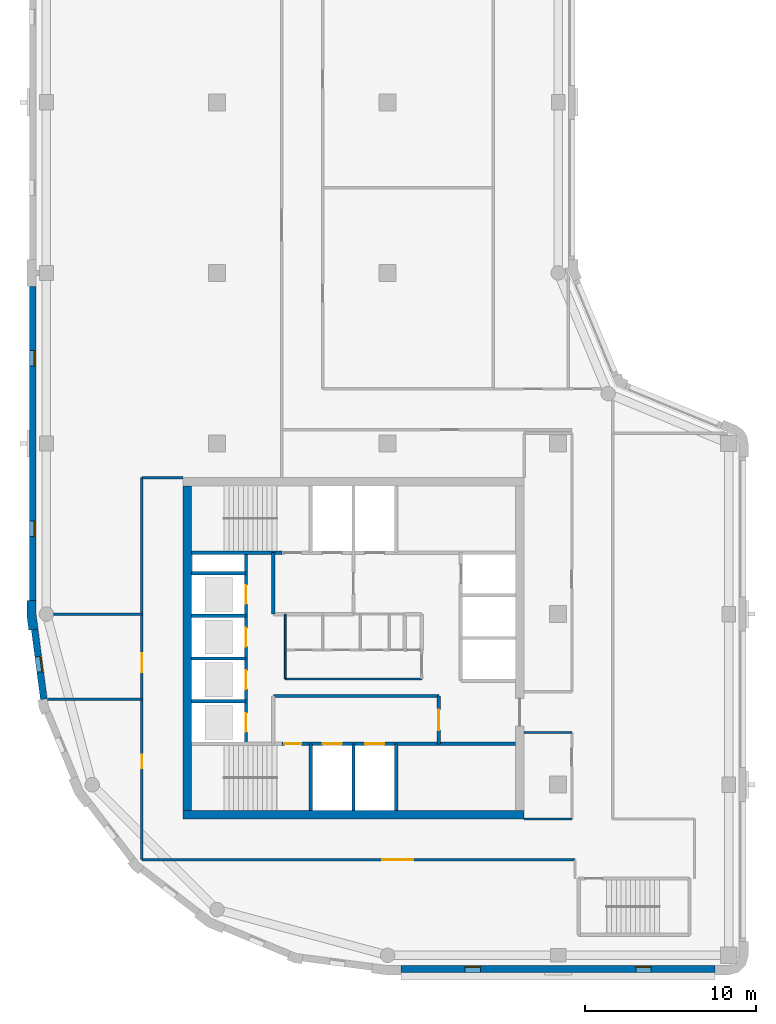
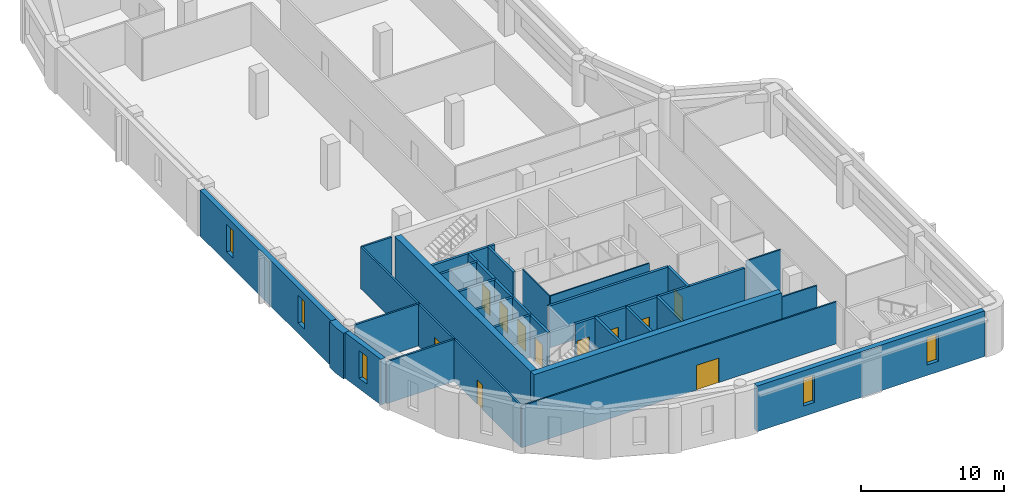
# One storey, part 2 of 8: 28 walls, 11 doors, 5 windows, 16 openings.
"""IFC4 building model written with IfcOpenShell, lengths in metres."""

from ifc_helpers import new_model, si_unit, direction, frame, frame_2d, origin, place, context, subcontext, project, spatial, polyline, rectangle, outline, extrude, material, layer, layer_set, type_object, element, fill, save


model = new_model("IFC4")

# Units and contexts
model_context = context("Model", 3, precision=1e-05, world=origin(), true_north=direction((0.0, 1.0)))
body_context = subcontext(model_context, "Body", "Model", "MODEL_VIEW")
ifc_project = project(units=[si_unit("LENGTHUNIT", "METRE"), si_unit("AREAUNIT", "SQUARE_METRE"), si_unit("VOLUMEUNIT", "CUBIC_METRE"), si_unit("PLANEANGLEUNIT", "RADIAN"), si_unit("MASSUNIT", "GRAM", prefix="KILO")], contexts=[model_context])

# Site, building, storey
site_placement = place(None, origin())
site = spatial("IfcSite", under=ifc_project, at=site_placement, CompositionType="ELEMENT")
building_placement = place(site_placement, origin())
building = spatial("IfcBuilding", under=site, at=building_placement, Name="Qaws Garden Tower", CompositionType="ELEMENT")
storey_placement = place(building_placement, frame((0.0, 0.0, 345.0)))
storey = spatial("IfcBuildingStorey", under=building, at=storey_placement, Name="L84", CompositionType="ELEMENT", Elevation=345.0)

# Wall, openings, windows
ifc_material_1 = material(Name="Clay facing brick masonry", Category="masonry")
ifc_layer_1 = layer(ifc_material_1, 0.39990234375)
ifc_layer_set_1 = layer_set([ifc_layer_1], Name="Clay facing brick masonry")
wall_type_1 = type_object("IfcWallType", Name="Brick infill wall 400", PredefinedType="SOLIDWALL", material=ifc_layer_set_1)
wall_1_placement = place(storey_placement, frame((20.800048828125, -0.800048828125, 0.0), z_axis=(0.0, 0.0, 1.0), x_axis=(1.0, 0.0, 0.0)))
wall_1 = element("IfcWall", 1, at=wall_1_placement, inside=storey, type_object=wall_type_1, Name="E-L84-infill-00", PredefinedType="SOLIDWALL", context=body_context, shape_type="SweptSolid", body=[
    extrude(rectangle(XDim=18.39990234375, YDim=0.39990234375, at=frame_2d((9.199951171875, 0.0))), origin(), (0.0, 0.0, 1.0), 3.89990234375),
])
opening_1_placement = place(wall_1_placement, frame((3.75, 0.0, 0.89990234375)))
opening_1 = element("IfcOpeningElement", 2, at=opening_1_placement, cuts=wall_1, Name="Opening W09", PredefinedType="OPENING", context=body_context, shape_type="SweptSolid", body=[
    extrude(rectangle(XDim=0.89990234375, YDim=2.35009765625, at=frame_2d((0.449951171875, 1.175048828125))), frame((0.0, 0.2099609375, 0.0), z_axis=(0.0, -1.0, 0.0), x_axis=(1.0, 0.0, 0.0)), (0.0, 0.0, 1.0), 0.419921875),
])
opening_2_placement = place(wall_1_placement, frame((13.75, 0.0, 0.89990234375)))
opening_2 = element("IfcOpeningElement", 3, at=opening_2_placement, cuts=wall_1, Name="Opening W09", PredefinedType="OPENING", context=body_context, shape_type="SweptSolid", body=[
    extrude(rectangle(XDim=0.89990234375, YDim=2.35009765625, at=frame_2d((0.449951171875, 1.175048828125))), frame((0.0, 0.2099609375, 0.0), z_axis=(0.0, -1.0, 0.0), x_axis=(1.0, 0.0, 0.0)), (0.0, 0.0, 1.0), 0.419921875),
])
ifc_material_2 = material(Name="Aluminium framed window, clear glazing", Category="aluminium")
window_type = type_object("IfcWindowType", Name="Slit window 900 x 2350", PartitioningType="SINGLE_PANEL", PredefinedType="WINDOW", material=ifc_material_2)
window_1_placement = place(opening_1_placement, origin())
window_1 = element("IfcWindow", 4, at=window_1_placement, inside=storey, type_object=window_type, Name="E-L84-window-00-0", OverallHeight=2.35009765625, OverallWidth=0.89990234375, PartitioningType="SINGLE_PANEL", PredefinedType="WINDOW", context=body_context, shape_type="SweptSolid", body=[
    extrude(rectangle(XDim=0.89990234375, YDim=2.35009765625, at=frame_2d((0.449951171875, 1.175048828125))), frame((0.0, 0.159912109375, 0.0), z_axis=(0.0, -1.0, 0.0), x_axis=(1.0, 0.0, 0.0)), (0.0, 0.0, 1.0), 0.06005859375),
])
fill(opening_1, window_1)
window_2_placement = place(opening_2_placement, origin())
window_2 = element("IfcWindow", 5, at=window_2_placement, inside=storey, type_object=window_type, Name="E-L84-window-01-0", OverallHeight=2.35009765625, OverallWidth=0.89990234375, PartitioningType="SINGLE_PANEL", PredefinedType="WINDOW", context=body_context, shape_type="SweptSolid", body=[
    extrude(rectangle(XDim=0.89990234375, YDim=2.35009765625, at=frame_2d((0.449951171875, 1.175048828125))), frame((0.0, 0.159912109375, 0.0), z_axis=(0.0, -1.0, 0.0), x_axis=(1.0, 0.0, 0.0)), (0.0, 0.0, 1.0), 0.06005859375),
])
fill(opening_2, window_2)

wall_2_placement = place(storey_placement, frame((-0.800048828125, 39.199951171875, 0.0), z_axis=(0.0, 0.0, 1.0), x_axis=(0.0, -1.0, 0.0)))
wall_2 = element("IfcWall", 6, at=wall_2_placement, inside=storey, type_object=wall_type_1, Name="E-L84-infill-19", PredefinedType="SOLIDWALL", context=body_context, shape_type="SweptSolid", body=[
    extrude(rectangle(XDim=18.39990234375, YDim=0.39990234375, at=frame_2d((9.199951171875, 0.0))), origin(), (0.0, 0.0, 1.0), 3.89990234375),
])
opening_3_placement = place(wall_2_placement, frame((3.75, 0.0, 0.89990234375)))
opening_3 = element("IfcOpeningElement", 7, at=opening_3_placement, cuts=wall_2, Name="Opening W09", PredefinedType="OPENING", context=body_context, shape_type="SweptSolid", body=[
    extrude(rectangle(XDim=0.89990234375, YDim=2.35009765625, at=frame_2d((0.449951171875, 1.175048828125))), frame((0.0, 0.2099609375, 0.0), z_axis=(0.0, -1.0, 0.0), x_axis=(1.0, 0.0, 0.0)), (0.0, 0.0, 1.0), 0.419921875),
])
opening_4_placement = place(wall_2_placement, frame((13.75, 0.0, 0.89990234375)))
opening_4 = element("IfcOpeningElement", 8, at=opening_4_placement, cuts=wall_2, Name="Opening W09", PredefinedType="OPENING", context=body_context, shape_type="SweptSolid", body=[
    extrude(rectangle(XDim=0.89990234375, YDim=2.35009765625, at=frame_2d((0.449951171875, 1.175048828125))), frame((0.0, 0.2099609375, 0.0), z_axis=(0.0, -1.0, 0.0), x_axis=(1.0, 0.0, 0.0)), (0.0, 0.0, 1.0), 0.419921875),
])
window_3_placement = place(opening_3_placement, origin())
window_3 = element("IfcWindow", 9, at=window_3_placement, inside=storey, type_object=window_type, Name="E-L84-window-19-0", OverallHeight=2.35009765625, OverallWidth=0.89990234375, PartitioningType="SINGLE_PANEL", PredefinedType="WINDOW", context=body_context, shape_type="SweptSolid", body=[
    extrude(rectangle(XDim=0.89990234375, YDim=2.35009765625, at=frame_2d((0.449951171875, 1.175048828125))), frame((0.0, 0.159912109375, 0.0), z_axis=(0.0, -1.0, 0.0), x_axis=(1.0, 0.0, 0.0)), (0.0, 0.0, 1.0), 0.06005859375),
])
fill(opening_3, window_3)
window_4_placement = place(opening_4_placement, origin())
window_4 = element("IfcWindow", 10, at=window_4_placement, inside=storey, type_object=window_type, Name="E-L84-window-20-0", OverallHeight=2.35009765625, OverallWidth=0.89990234375, PartitioningType="SINGLE_PANEL", PredefinedType="WINDOW", context=body_context, shape_type="SweptSolid", body=[
    extrude(rectangle(XDim=0.89990234375, YDim=2.35009765625, at=frame_2d((0.449951171875, 1.175048828125))), frame((0.0, 0.159912109375, 0.0), z_axis=(0.0, -1.0, 0.0), x_axis=(1.0, 0.0, 0.0)), (0.0, 0.0, 1.0), 0.06005859375),
])
fill(opening_4, window_4)

# Wall, opening, window
wall_3_placement = place(storey_placement, frame((-0.688720703125, 19.102294921875, 0.0), z_axis=(0.0, 0.0, 1.0), x_axis=(0.130514280502, -0.991446429508, 0.0)))
wall_3 = element("IfcWall", 11, at=wall_3_placement, inside=storey, type_object=wall_type_1, Name="E-L84-infill-21", PredefinedType="SOLIDWALL", context=body_context, shape_type="SweptSolid", body=[
    extrude(rectangle(XDim=4.120849609375, YDim=0.39990234375, at=frame_2d((2.060546875, 0.0))), origin(), (0.0, 0.0, 1.0), 3.89990234375),
])
opening_5_placement = place(wall_3_placement, frame((1.610595703125, 0.0, 0.89990234375)))
opening_5 = element("IfcOpeningElement", 12, at=opening_5_placement, cuts=wall_3, Name="Opening W09", PredefinedType="OPENING", context=body_context, shape_type="SweptSolid", body=[
    extrude(rectangle(XDim=0.89990234375, YDim=2.35009765625, at=frame_2d((0.449951171875, 1.175048828125))), frame((0.0, 0.2099609375, 0.0), z_axis=(0.0, -1.0, 0.0), x_axis=(1.0, 0.0, 0.0)), (0.0, 0.0, 1.0), 0.419921875),
])
window_5_placement = place(opening_5_placement, origin())
window_5 = element("IfcWindow", 13, at=window_5_placement, inside=storey, type_object=window_type, Name="E-L84-window-21-0", OverallHeight=2.35009765625, OverallWidth=0.89990234375, PartitioningType="SINGLE_PANEL", PredefinedType="WINDOW", context=body_context, shape_type="SweptSolid", body=[
    extrude(rectangle(XDim=0.89990234375, YDim=2.35009765625, at=frame_2d((0.449951171875, 1.175048828125))), frame((0.0, 0.159912109375, 0.0), z_axis=(0.0, -1.0, 0.0), x_axis=(1.0, 0.0, 0.0)), (0.0, 0.0, 1.0), 0.06005859375),
])
fill(opening_5, window_5)

# Walls
ifc_material_3 = material(Name="Clay facing brick masonry", Category="masonry")
ifc_layer_2 = layer(ifc_material_3, 0.550048828125)
ifc_layer_set_2 = layer_set([ifc_layer_2], Name="Clay facing brick masonry")
wall_type_2 = type_object("IfcWallType", Name="Brick pier 550 x 1600", PredefinedType="SOLIDWALL", material=ifc_layer_set_2)
wall_4_placement = place(storey_placement, origin())
element("IfcWall", 14, at=wall_4_placement, inside=storey, type_object=wall_type_2, Name="E-L84-pier-21", PredefinedType="SOLIDWALL", context=body_context, shape_type="SweptSolid", body=[
    extrude(outline(polyline([(-1.0, 20.800048828125), (-1.14990234375, 20.800048828125), (-1.14990234375, 19.924560546875), (-1.03564453125, 19.056640625), (-0.886962890625, 19.076416015625), (-0.490478515625, 19.12841796875), (-0.60009765625, 19.960693359375), (-0.60009765625, 20.800048828125), (-1.0, 20.800048828125)])), origin(), (0.0, 0.0, 1.0), 3.89990234375),
])
ifc_material_4 = material(Name="Plasterboard")
ifc_layer_3 = layer(ifc_material_4, 0.10009765625)
ifc_layer_set_3 = layer_set([ifc_layer_3], Name="Plasterboard")
wall_type_3 = type_object("IfcWallType", Name="Core partition 100", PredefinedType="PARTITIONING", material=ifc_layer_set_3)
wall_5_placement = place(storey_placement, frame((14.0, 16.199951171875, 0.0), z_axis=(0.0, 0.0, 1.0), x_axis=(1.0, 0.0, 0.0)))
element("IfcWall", 15, at=wall_5_placement, inside=storey, type_object=wall_type_3, Name="Core partition", PredefinedType="PARTITIONING", context=body_context, shape_type="SweptSolid", body=[
    extrude(rectangle(XDim=8.0, YDim=0.10009765625, at=frame_2d((4.0, 0.0))), origin(), (0.0, 0.0, 1.0), 3.580078125),
])
wall_6_placement = place(storey_placement, frame((14.0, 16.199951171875, 0.0), z_axis=(0.0, 0.0, 1.0), x_axis=(0.0, 1.0, 0.0)))
element("IfcWall", 16, at=wall_6_placement, inside=storey, type_object=wall_type_3, Name="Core partition", PredefinedType="PARTITIONING", context=body_context, shape_type="SweptSolid", body=[
    extrude(rectangle(XDim=3.800048828125, YDim=0.10009765625, at=frame_2d((1.89990234375, 0.0))), origin(), (0.0, 0.0, 1.0), 3.580078125),
])

# Wall, openings, doors
ifc_material_5 = material(Name="Concrete C60", Category="concrete")
ifc_layer_4 = layer(ifc_material_5, 0.199951171875)
ifc_layer_set_4 = layer_set([ifc_layer_4], Name="Concrete C60")
wall_type_4 = type_object("IfcWallType", Name="Core shaft wall 200 C60", PredefinedType="SHEAR", material=ifc_layer_set_4)
wall_7_placement = place(storey_placement, frame((13.800048828125, 12.39990234375, 0.0), z_axis=(0.0, 0.0, 1.0), x_axis=(1.0, 0.0, 0.0)))
wall_7 = element("IfcWall", 17, at=wall_7_placement, inside=storey, type_object=wall_type_4, Name="Shaft wall", PredefinedType="SHEAR", context=body_context, shape_type="SweptSolid", body=[
    extrude(rectangle(XDim=13.699951171875, YDim=0.199951171875, at=frame_2d((6.85009765625, 0.0))), origin(), (0.0, 0.0, 1.0), 3.580078125),
])
opening_6_placement = place(wall_7_placement, frame((2.39990234375, 0.0, 0.0)))
opening_6 = element("IfcOpeningElement", 18, at=opening_6_placement, cuts=wall_7, Name="Opening LD06", PredefinedType="OPENING", context=body_context, shape_type="SweptSolid", body=[
    extrude(rectangle(XDim=1.10009765625, YDim=2.10009765625, at=frame_2d((0.550048828125, 1.050048828125))), frame((0.0, 0.10986328125, 0.0), z_axis=(0.0, -1.0, 0.0), x_axis=(1.0, 0.0, 0.0)), (0.0, 0.0, 1.0), 0.219970703125),
])
opening_7_placement = place(wall_7_placement, frame((4.89990234375, 0.0, 0.0)))
opening_7 = element("IfcOpeningElement", 19, at=opening_7_placement, cuts=wall_7, Name="Opening LD07", PredefinedType="OPENING", context=body_context, shape_type="SweptSolid", body=[
    extrude(rectangle(XDim=1.10009765625, YDim=2.10009765625, at=frame_2d((0.550048828125, 1.050048828125))), frame((0.0, 0.10986328125, 0.0), z_axis=(0.0, -1.0, 0.0), x_axis=(1.0, 0.0, 0.0)), (0.0, 0.0, 1.0), 0.219970703125),
])
opening_8_placement = place(wall_7_placement, frame((0.14990234375, 0.0, 0.0)))
opening_8 = element("IfcOpeningElement", 20, at=opening_8_placement, cuts=wall_7, Name="Opening SD10", PredefinedType="OPENING", context=body_context, shape_type="SweptSolid", body=[
    extrude(rectangle(XDim=1.0, YDim=2.10009765625, at=frame_2d((0.5, 1.050048828125))), frame((0.0, 0.10986328125, 0.0), z_axis=(0.0, -1.0, 0.0), x_axis=(1.0, 0.0, 0.0)), (0.0, 0.0, 1.0), 0.219970703125),
])
ifc_material_6 = material(Name="Steel S235", Category="steel")
door_type_1 = type_object("IfcDoorType", Name="Landing door 1100x2100", OperationType="DOUBLE_DOOR_SLIDING", PredefinedType="DOOR", material=ifc_material_6)
door_1_placement = place(opening_6_placement, origin())
door_1 = element("IfcDoor", 21, at=door_1_placement, inside=storey, type_object=door_type_1, Name="Lift FF1 landing door", OperationType="DOUBLE_DOOR_SLIDING", OverallHeight=2.10009765625, OverallWidth=1.10009765625, PredefinedType="DOOR", context=body_context, shape_type="SweptSolid", body=[
    extrude(rectangle(XDim=1.10009765625, YDim=2.10009765625, at=frame_2d((0.550048828125, 1.050048828125))), frame((0.0, 0.02490234375, 0.0), z_axis=(0.0, -1.0, 0.0), x_axis=(1.0, 0.0, 0.0)), (0.0, 0.0, 1.0), 0.050048828125),
])
fill(opening_6, door_1)
door_2_placement = place(opening_7_placement, origin())
door_2 = element("IfcDoor", 22, at=door_2_placement, inside=storey, type_object=door_type_1, Name="Lift FF2 landing door", OperationType="DOUBLE_DOOR_SLIDING", OverallHeight=2.10009765625, OverallWidth=1.10009765625, PredefinedType="DOOR", context=body_context, shape_type="SweptSolid", body=[
    extrude(rectangle(XDim=1.10009765625, YDim=2.10009765625, at=frame_2d((0.550048828125, 1.050048828125))), frame((0.0, 0.02490234375, 0.0), z_axis=(0.0, -1.0, 0.0), x_axis=(1.0, 0.0, 0.0)), (0.0, 0.0, 1.0), 0.050048828125),
])
fill(opening_7, door_2)
ifc_material_7 = material(Name="Steel S235", Category="steel")
door_type_2 = type_object("IfcDoorType", Name="Stair door 1000x2100", OperationType="SINGLE_SWING_RIGHT", PredefinedType="DOOR", material=ifc_material_7)
door_3_placement = place(opening_8_placement, frame((1.0, 0.0, 0.0), z_axis=(0.0, 0.0, 1.0), x_axis=(-1.0, 0.0, 0.0)))
door_3 = element("IfcDoor", 23, at=door_3_placement, inside=storey, type_object=door_type_2, Name="Stair 1 door", OperationType="SINGLE_SWING_LEFT", OverallHeight=2.10009765625, OverallWidth=1.0, PredefinedType="DOOR", context=body_context, shape_type="SweptSolid", body=[
    extrude(rectangle(XDim=1.0, YDim=2.10009765625, at=frame_2d((0.5, 1.050048828125))), frame((0.0, 0.02490234375, 0.0), z_axis=(0.0, -1.0, 0.0), x_axis=(1.0, 0.0, 0.0)), (0.0, 0.0, 1.0), 0.050048828125),
])
fill(opening_8, door_3)

# Walls
wall_8_placement = place(storey_placement, frame((8.5, 14.89990234375, 0.0), z_axis=(0.0, 0.0, 1.0), x_axis=(1.0, 0.0, 0.0)))
element("IfcWall", 24, at=wall_8_placement, inside=storey, type_object=wall_type_4, Name="Shaft wall", PredefinedType="SHEAR", context=body_context, shape_type="SweptSolid", body=[
    extrude(rectangle(XDim=3.199951171875, YDim=0.199951171875, at=frame_2d((1.60009765625, 0.0))), origin(), (0.0, 0.0, 1.0), 3.580078125),
])
wall_9_placement = place(storey_placement, frame((13.300048828125, 15.199951171875, 0.0), z_axis=(0.0, 0.0, 1.0), x_axis=(1.0, 0.0, 0.0)))
element("IfcWall", 25, at=wall_9_placement, inside=storey, type_object=wall_type_4, Name="Shaft wall", PredefinedType="SHEAR", context=body_context, shape_type="SweptSolid", body=[
    extrude(rectangle(XDim=9.699951171875, YDim=0.199951171875, at=frame_2d((4.85009765625, 0.0))), origin(), (0.0, 0.0, 1.0), 3.580078125),
])
for number, where, z_axis, x_axis, name in (
    (26, (8.5, 17.39990234375, 0.0), (0.0, 0.0, 1.0), (1.0, 0.0, 0.0), "Shaft wall"),
    (27, (8.5, 19.89990234375, 0.0), (0.0, 0.0, 1.0), (1.0, 0.0, 0.0), "Shaft wall"),
    (28, (8.5, 22.39990234375, 0.0), (0.0, 0.0, 1.0), (1.0, 0.0, 0.0), "Shaft wall"),
):
    element("IfcWall", number, at=place(storey_placement, frame(where, z_axis=z_axis, x_axis=x_axis)), inside=storey, type_object=wall_type_4, Name=name, PredefinedType="SHEAR", context=body_context, shape_type="SweptSolid", body=[
        extrude(rectangle(XDim=3.199951171875, YDim=0.199951171875, at=frame_2d((1.60009765625, 0.0))), origin(), (0.0, 0.0, 1.0), 3.580078125),
    ])
wall_10_placement = place(storey_placement, frame((8.5, 23.60009765625, 0.0), z_axis=(0.0, 0.0, 1.0), x_axis=(1.0, 0.0, 0.0)))
element("IfcWall", 29, at=wall_10_placement, inside=storey, type_object=wall_type_4, Name="Shaft wall", PredefinedType="SHEAR", context=body_context, shape_type="SweptSolid", body=[
    extrude(rectangle(XDim=5.300048828125, YDim=0.199951171875, at=frame_2d((2.64990234375, 0.0))), origin(), (0.0, 0.0, 1.0), 3.580078125),
])

# Wall, openings, doors
wall_11_placement = place(storey_placement, frame((11.699951171875, 12.39990234375, 0.0), z_axis=(0.0, 0.0, 1.0), x_axis=(0.0, 1.0, 0.0)))
wall_11 = element("IfcWall", 30, at=wall_11_placement, inside=storey, type_object=wall_type_4, Name="Shaft wall", PredefinedType="SHEAR", context=body_context, shape_type="SweptSolid", body=[
    extrude(rectangle(XDim=11.2001953125, YDim=0.199951171875, at=frame_2d((5.60009765625, 0.0))), origin(), (0.0, 0.0, 1.0), 3.580078125),
])
opening_9_placement = place(wall_11_placement, frame((0.699951171875, 0.0, 0.0)))
opening_9 = element("IfcOpeningElement", 31, at=opening_9_placement, cuts=wall_11, Name="Opening LD01", PredefinedType="OPENING", context=body_context, shape_type="SweptSolid", body=[
    extrude(rectangle(XDim=1.10009765625, YDim=2.10009765625, at=frame_2d((0.550048828125, 1.050048828125))), frame((0.0, 0.10986328125, 0.0), z_axis=(0.0, -1.0, 0.0), x_axis=(1.0, 0.0, 0.0)), (0.0, 0.0, 1.0), 0.219970703125),
])
opening_10_placement = place(wall_11_placement, frame((3.199951171875, 0.0, 0.0)))
opening_10 = element("IfcOpeningElement", 32, at=opening_10_placement, cuts=wall_11, Name="Opening LD02", PredefinedType="OPENING", context=body_context, shape_type="SweptSolid", body=[
    extrude(rectangle(XDim=1.10009765625, YDim=2.10009765625, at=frame_2d((0.550048828125, 1.050048828125))), frame((0.0, 0.10986328125, 0.0), z_axis=(0.0, -1.0, 0.0), x_axis=(1.0, 0.0, 0.0)), (0.0, 0.0, 1.0), 0.219970703125),
])
opening_11_placement = place(wall_11_placement, frame((5.699951171875, 0.0, 0.0)))
opening_11 = element("IfcOpeningElement", 33, at=opening_11_placement, cuts=wall_11, Name="Opening LD03", PredefinedType="OPENING", context=body_context, shape_type="SweptSolid", body=[
    extrude(rectangle(XDim=1.10009765625, YDim=2.10009765625, at=frame_2d((0.550048828125, 1.050048828125))), frame((0.0, 0.10986328125, 0.0), z_axis=(0.0, -1.0, 0.0), x_axis=(1.0, 0.0, 0.0)), (0.0, 0.0, 1.0), 0.219970703125),
])
opening_12_placement = place(wall_11_placement, frame((8.199951171875, 0.0, 0.0)))
opening_12 = element("IfcOpeningElement", 34, at=opening_12_placement, cuts=wall_11, Name="Opening LD04", PredefinedType="OPENING", context=body_context, shape_type="SweptSolid", body=[
    extrude(rectangle(XDim=1.10009765625, YDim=2.10009765625, at=frame_2d((0.550048828125, 1.050048828125))), frame((0.0, 0.10986328125, 0.0), z_axis=(0.0, -1.0, 0.0), x_axis=(1.0, 0.0, 0.0)), (0.0, 0.0, 1.0), 0.219970703125),
])
door_4_placement = place(opening_9_placement, origin())
door_4 = element("IfcDoor", 35, at=door_4_placement, inside=storey, type_object=door_type_1, Name="Lift W1 landing door", OperationType="DOUBLE_DOOR_SLIDING", OverallHeight=2.10009765625, OverallWidth=1.10009765625, PredefinedType="DOOR", context=body_context, shape_type="SweptSolid", body=[
    extrude(rectangle(XDim=1.10009765625, YDim=2.10009765625, at=frame_2d((0.550048828125, 1.050048828125))), frame((0.0, 0.02490234375, 0.0), z_axis=(0.0, -1.0, 0.0), x_axis=(1.0, 0.0, 0.0)), (0.0, 0.0, 1.0), 0.050048828125),
])
fill(opening_9, door_4)
door_5_placement = place(opening_10_placement, origin())
door_5 = element("IfcDoor", 36, at=door_5_placement, inside=storey, type_object=door_type_1, Name="Lift W2 landing door", OperationType="DOUBLE_DOOR_SLIDING", OverallHeight=2.10009765625, OverallWidth=1.10009765625, PredefinedType="DOOR", context=body_context, shape_type="SweptSolid", body=[
    extrude(rectangle(XDim=1.10009765625, YDim=2.10009765625, at=frame_2d((0.550048828125, 1.050048828125))), frame((0.0, 0.02490234375, 0.0), z_axis=(0.0, -1.0, 0.0), x_axis=(1.0, 0.0, 0.0)), (0.0, 0.0, 1.0), 0.050048828125),
])
fill(opening_10, door_5)
door_6_placement = place(opening_11_placement, origin())
door_6 = element("IfcDoor", 37, at=door_6_placement, inside=storey, type_object=door_type_1, Name="Lift W3 landing door", OperationType="DOUBLE_DOOR_SLIDING", OverallHeight=2.10009765625, OverallWidth=1.10009765625, PredefinedType="DOOR", context=body_context, shape_type="SweptSolid", body=[
    extrude(rectangle(XDim=1.10009765625, YDim=2.10009765625, at=frame_2d((0.550048828125, 1.050048828125))), frame((0.0, 0.02490234375, 0.0), z_axis=(0.0, -1.0, 0.0), x_axis=(1.0, 0.0, 0.0)), (0.0, 0.0, 1.0), 0.050048828125),
])
fill(opening_11, door_6)
door_7_placement = place(opening_12_placement, origin())
door_7 = element("IfcDoor", 38, at=door_7_placement, inside=storey, type_object=door_type_1, Name="Lift W4 landing door", OperationType="DOUBLE_DOOR_SLIDING", OverallHeight=2.10009765625, OverallWidth=1.10009765625, PredefinedType="DOOR", context=body_context, shape_type="SweptSolid", body=[
    extrude(rectangle(XDim=1.10009765625, YDim=2.10009765625, at=frame_2d((0.550048828125, 1.050048828125))), frame((0.0, 0.02490234375, 0.0), z_axis=(0.0, -1.0, 0.0), x_axis=(1.0, 0.0, 0.0)), (0.0, 0.0, 1.0), 0.050048828125),
])
fill(opening_12, door_7)

# Walls
wall_12_placement = place(storey_placement, frame((13.300048828125, 20.0, 0.0), z_axis=(0.0, 0.0, 1.0), x_axis=(0.0, 1.0, 0.0)))
element("IfcWall", 39, at=wall_12_placement, inside=storey, type_object=wall_type_4, Name="Shaft wall", PredefinedType="SHEAR", context=body_context, shape_type="SweptSolid", body=[
    extrude(rectangle(XDim=3.60009765625, YDim=0.199951171875, at=frame_2d((1.800048828125, 0.0))), origin(), (0.0, 0.0, 1.0), 3.580078125),
])
for number, where, z_axis, x_axis, name in (
    (40, (15.5, 8.5, 0.0), (0.0, 0.0, 1.0), (0.0, 1.0, 0.0), "Shaft wall"),
    (41, (18.0, 8.5, 0.0), (0.0, 0.0, 1.0), (0.0, 1.0, 0.0), "Shaft wall"),
    (42, (20.5, 8.5, 0.0), (0.0, 0.0, 1.0), (0.0, 1.0, 0.0), "Shaft wall"),
):
    element("IfcWall", number, at=place(storey_placement, frame(where, z_axis=z_axis, x_axis=x_axis)), inside=storey, type_object=wall_type_4, Name=name, PredefinedType="SHEAR", context=body_context, shape_type="SweptSolid", body=[
        extrude(rectangle(XDim=3.89990234375, YDim=0.199951171875, at=frame_2d((1.949951171875, 0.0))), origin(), (0.0, 0.0, 1.0), 3.580078125),
    ])

# Wall, opening, door
wall_13_placement = place(storey_placement, frame((23.0, 12.39990234375, 0.0), z_axis=(0.0, 0.0, 1.0), x_axis=(0.0, 1.0, 0.0)))
wall_13 = element("IfcWall", 43, at=wall_13_placement, inside=storey, type_object=wall_type_4, Name="Shaft wall", PredefinedType="SHEAR", context=body_context, shape_type="SweptSolid", body=[
    extrude(rectangle(XDim=2.800048828125, YDim=0.199951171875, at=frame_2d((1.39990234375, 0.0))), origin(), (0.0, 0.0, 1.0), 3.580078125),
])
opening_13_placement = place(wall_13_placement, frame((0.800048828125, 0.0, 0.0)))
opening_13 = element("IfcOpeningElement", 44, at=opening_13_placement, cuts=wall_13, Name="Opening FD15", PredefinedType="OPENING", context=body_context, shape_type="SweptSolid", body=[
    extrude(rectangle(XDim=1.199951171875, YDim=2.10009765625, at=frame_2d((0.60009765625, 1.050048828125))), frame((0.0, 0.10986328125, 0.0), z_axis=(0.0, -1.0, 0.0), x_axis=(1.0, 0.0, 0.0)), (0.0, 0.0, 1.0), 0.219970703125),
])
ifc_material_8 = material(Name="Steel S235", Category="steel")
door_type_3 = type_object("IfcDoorType", Name="Lobby door 1200x2100", OperationType="DOUBLE_DOOR_SINGLE_SWING", PredefinedType="DOOR", material=ifc_material_8)
door_8_placement = place(opening_13_placement, origin())
door_8 = element("IfcDoor", 45, at=door_8_placement, inside=storey, type_object=door_type_3, Name="Fire-fighting lobby door", OperationType="DOUBLE_DOOR_SINGLE_SWING", OverallHeight=2.10009765625, OverallWidth=1.199951171875, PredefinedType="DOOR", context=body_context, shape_type="SweptSolid", body=[
    extrude(rectangle(XDim=1.199951171875, YDim=2.10009765625, at=frame_2d((0.60009765625, 1.050048828125))), frame((0.0, 0.02490234375, 0.0), z_axis=(0.0, -1.0, 0.0), x_axis=(1.0, 0.0, 0.0)), (0.0, 0.0, 1.0), 0.050048828125),
])
fill(opening_13, door_8)

# Walls
ifc_material_9 = material(Name="Concrete C60", Category="concrete")
ifc_layer_5 = layer(ifc_material_9, 0.5)
ifc_layer_set_5 = layer_set([ifc_layer_5], Name="Concrete C60")
wall_type_5 = type_object("IfcWallType", Name="Core wall 500 C60", PredefinedType="SHEAR", material=ifc_layer_set_5)
wall_14_placement = place(storey_placement, frame((8.0, 8.25, 0.0), z_axis=(0.0, 0.0, 1.0), x_axis=(1.0, 0.0, 0.0)))
element("IfcWall", 46, at=wall_14_placement, inside=storey, type_object=wall_type_5, Name="Core wall L84 south", PredefinedType="SHEAR", context=body_context, shape_type="SweptSolid", body=[
    extrude(rectangle(XDim=20.0, YDim=0.5, at=frame_2d((10.0, 0.0))), origin(), (0.0, 0.0, 1.0), 3.89990234375),
])
wall_15_placement = place(storey_placement, frame((8.25, 27.5, 0.0), z_axis=(0.0, 0.0, 1.0), x_axis=(0.0, -1.0, 0.0)))
element("IfcWall", 47, at=wall_15_placement, inside=storey, type_object=wall_type_5, Name="Core wall L84 west", PredefinedType="SHEAR", context=body_context, shape_type="SweptSolid", body=[
    extrude(rectangle(XDim=19.0, YDim=0.5, at=frame_2d((9.5, 0.0))), origin(), (0.0, 0.0, 1.0), 3.89990234375),
])

# Wall, opening, door
ifc_material_10 = material(Name="Glass and aluminium framing", Category="aluminium")
ifc_layer_6 = layer(ifc_material_10, 0.1201171875)
ifc_layer_set_6 = layer_set([ifc_layer_6], Name="Glass and aluminium framing")
wall_type_6 = type_object("IfcWallType", Name="GLAZED PARTITION 120 EI 30", PredefinedType="PARTITIONING", material=ifc_layer_set_6)
wall_16_placement = place(storey_placement, frame((5.60009765625, 5.60009765625, 0.0), z_axis=(0.0, 0.0, 1.0), x_axis=(1.0, 0.0, 0.0)))
wall_16 = element("IfcWall", 48, at=wall_16_placement, inside=storey, type_object=wall_type_6, Name="O-L84-wall-034", PredefinedType="PARTITIONING", context=body_context, shape_type="SweptSolid", body=[
    extrude(rectangle(XDim=25.39990234375, YDim=0.1201171875, at=frame_2d((12.699951171875, 0.0))), origin(), (0.0, 0.0, 1.0), 3.580078125),
])
opening_14_placement = place(wall_16_placement, frame((14.10009765625, 0.0, 0.0)))
opening_14 = element("IfcOpeningElement", 49, at=opening_14_placement, cuts=wall_16, Name="Opening C1006", PredefinedType="OPENING", context=body_context, shape_type="SweptSolid", body=[
    extrude(rectangle(XDim=1.800048828125, YDim=2.10009765625, at=frame_2d((0.89990234375, 1.050048828125))), frame((0.0, 0.070068359375, 0.0), z_axis=(0.0, -1.0, 0.0), x_axis=(1.0, 0.0, 0.0)), (0.0, 0.0, 1.0), 0.14013671875),
])
ifc_material_11 = material(Name="Timber door leaf", Category="wood")
door_type_4 = type_object("IfcDoorType", Name="DOUBLE DOOR 1800 X 2100", OperationType="DOUBLE_DOOR_SINGLE_SWING", PredefinedType="DOOR", material=ifc_material_11)
door_9_placement = place(opening_14_placement, frame((1.800048828125, 0.0, 0.0), z_axis=(0.0, 0.0, 1.0), x_axis=(-1.0, 0.0, 0.0)))
door_9 = element("IfcDoor", 50, at=door_9_placement, inside=storey, type_object=door_type_4, Name="O-L84-door-006", OperationType="DOUBLE_DOOR_SINGLE_SWING", OverallHeight=2.10009765625, OverallWidth=1.800048828125, PredefinedType="DOOR", context=body_context, shape_type="SweptSolid", body=[
    extrude(rectangle(XDim=1.800048828125, YDim=2.10009765625, at=frame_2d((0.89990234375, 1.050048828125))), frame((0.0, 0.02490234375, 0.0), z_axis=(0.0, -1.0, 0.0), x_axis=(1.0, 0.0, 0.0)), (0.0, 0.0, 1.0), 0.050048828125),
])
fill(opening_14, door_9)

# Walls
for number, where, z_axis, x_axis, name in (
    (51, (28.0, 8.0, 0.0), (0.0, 0.0, 1.0), (1.0, 0.0, 0.0), "O-L84-wall-035"),
    (52, (28.0, 13.050048828125, 0.0), (0.0, 0.0, 1.0), (1.0, 0.0, 0.0), "O-L84-wall-037"),
):
    element("IfcWall", number, at=place(storey_placement, frame(where, z_axis=z_axis, x_axis=x_axis)), inside=storey, type_object=wall_type_6, Name=name, PredefinedType="PARTITIONING", context=body_context, shape_type="SweptSolid", body=[
        extrude(rectangle(XDim=2.800048828125, YDim=0.1201171875, at=frame_2d((1.39990234375, 0.0))), origin(), (0.0, 0.0, 1.0), 3.580078125),
    ])

# Wall, openings, doors
ifc_material_12 = material(Name="Gypsum board partition")
ifc_layer_7 = layer(ifc_material_12, 0.14990234375)
ifc_layer_set_7 = layer_set([ifc_layer_7], Name="Gypsum board partition")
wall_type_7 = type_object("IfcWallType", Name="PARTITION 150 EI 60", PredefinedType="PARTITIONING", material=ifc_layer_set_7)
wall_17_placement = place(storey_placement, frame((5.60009765625, 5.60009765625, 0.0), z_axis=(0.0, 0.0, 1.0), x_axis=(0.0, 1.0, 0.0)))
wall_17 = element("IfcWall", 53, at=wall_17_placement, inside=storey, type_object=wall_type_7, Name="O-L84-wall-004", PredefinedType="PARTITIONING", context=body_context, shape_type="SweptSolid", body=[
    extrude(rectangle(XDim=22.39990234375, YDim=0.14990234375, at=frame_2d((11.199951171875, 0.0))), origin(), (0.0, 0.0, 1.0), 3.580078125),
])
opening_15_placement = place(wall_17_placement, frame((5.35009765625, 0.0, 0.0)))
opening_15 = element("IfcOpeningElement", 54, at=opening_15_placement, cuts=wall_17, Name="Opening C1001", PredefinedType="OPENING", context=body_context, shape_type="SweptSolid", body=[
    extrude(rectangle(XDim=0.800048828125, YDim=2.10009765625, at=frame_2d((0.39990234375, 1.050048828125))), frame((0.0, 0.0849609375, 0.0), z_axis=(0.0, -1.0, 0.0), x_axis=(1.0, 0.0, 0.0)), (0.0, 0.0, 1.0), 0.169921875),
])
opening_16_placement = place(wall_17_placement, frame((11.0, 0.0, 0.0)))
opening_16 = element("IfcOpeningElement", 55, at=opening_16_placement, cuts=wall_17, Name="Opening C1002", PredefinedType="OPENING", context=body_context, shape_type="SweptSolid", body=[
    extrude(rectangle(XDim=1.10009765625, YDim=2.10009765625, at=frame_2d((0.550048828125, 1.050048828125))), frame((0.0, 0.0849609375, 0.0), z_axis=(0.0, -1.0, 0.0), x_axis=(1.0, 0.0, 0.0)), (0.0, 0.0, 1.0), 0.169921875),
])
ifc_material_13 = material(Name="Timber door leaf", Category="wood")
door_type_5 = type_object("IfcDoorType", Name="SERVICE ROOM DOOR 1100 X 2100", OperationType="SINGLE_SWING_LEFT", PredefinedType="DOOR", material=ifc_material_13)
door_10_placement = place(opening_16_placement, origin())
door_10 = element("IfcDoor", 56, at=door_10_placement, inside=storey, type_object=door_type_5, Name="O-L84-door-002", OperationType="SINGLE_SWING_RIGHT", OverallHeight=2.10009765625, OverallWidth=1.10009765625, PredefinedType="DOOR", context=body_context, shape_type="SweptSolid", body=[
    extrude(rectangle(XDim=1.10009765625, YDim=2.10009765625, at=frame_2d((0.550048828125, 1.050048828125))), frame((0.0, 0.02490234375, 0.0), z_axis=(0.0, -1.0, 0.0), x_axis=(1.0, 0.0, 0.0)), (0.0, 0.0, 1.0), 0.050048828125),
])
fill(opening_16, door_10)
ifc_material_14 = material(Name="Timber door leaf", Category="wood")
door_type_6 = type_object("IfcDoorType", Name="STORE DOOR 800 X 2100", OperationType="SINGLE_SWING_LEFT", PredefinedType="DOOR", material=ifc_material_14)
door_11_placement = place(opening_15_placement, origin())
door_11 = element("IfcDoor", 57, at=door_11_placement, inside=storey, type_object=door_type_6, Name="O-L84-door-001", OperationType="SINGLE_SWING_RIGHT", OverallHeight=2.10009765625, OverallWidth=0.800048828125, PredefinedType="DOOR", context=body_context, shape_type="SweptSolid", body=[
    extrude(rectangle(XDim=0.800048828125, YDim=2.10009765625, at=frame_2d((0.39990234375, 1.050048828125))), frame((0.0, 0.02490234375, 0.0), z_axis=(0.0, -1.0, 0.0), x_axis=(1.0, 0.0, 0.0)), (0.0, 0.0, 1.0), 0.050048828125),
])
fill(opening_15, door_11)

# Walls
wall_18_placement = place(storey_placement, frame((0.06298828125, 15.0, 0.0), z_axis=(0.0, 0.0, 1.0), x_axis=(1.0, 0.0, 0.0)))
element("IfcWall", 58, at=wall_18_placement, inside=storey, type_object=wall_type_7, Name="O-L84-wall-013", PredefinedType="PARTITIONING", context=body_context, shape_type="SweptSolid", body=[
    extrude(rectangle(XDim=5.537109375, YDim=0.14990234375, at=frame_2d((2.7685546875, 0.0))), origin(), (0.0, 0.0, 1.0), 3.580078125),
])
wall_19_placement = place(storey_placement, frame((0.425048828125, 20.0, 0.0), z_axis=(0.0, 0.0, 1.0), x_axis=(1.0, 0.0, 0.0)))
element("IfcWall", 59, at=wall_19_placement, inside=storey, type_object=wall_type_7, Name="O-L84-wall-014", PredefinedType="PARTITIONING", context=body_context, shape_type="SweptSolid", body=[
    extrude(rectangle(XDim=5.175048828125, YDim=0.14990234375, at=frame_2d((2.58740234375, 0.0))), origin(), (0.0, 0.0, 1.0), 3.580078125),
])
wall_20_placement = place(storey_placement, frame((5.60009765625, 28.0, 0.0), z_axis=(0.0, 0.0, 1.0), x_axis=(1.0, 0.0, 0.0)))
element("IfcWall", 60, at=wall_20_placement, inside=storey, type_object=wall_type_7, Name="O-L84-wall-015", PredefinedType="PARTITIONING", context=body_context, shape_type="SweptSolid", body=[
    extrude(rectangle(XDim=2.39990234375, YDim=0.14990234375, at=frame_2d((1.199951171875, 0.0))), origin(), (0.0, 0.0, 1.0), 3.580078125),
])

save(model, "model.ifc")
